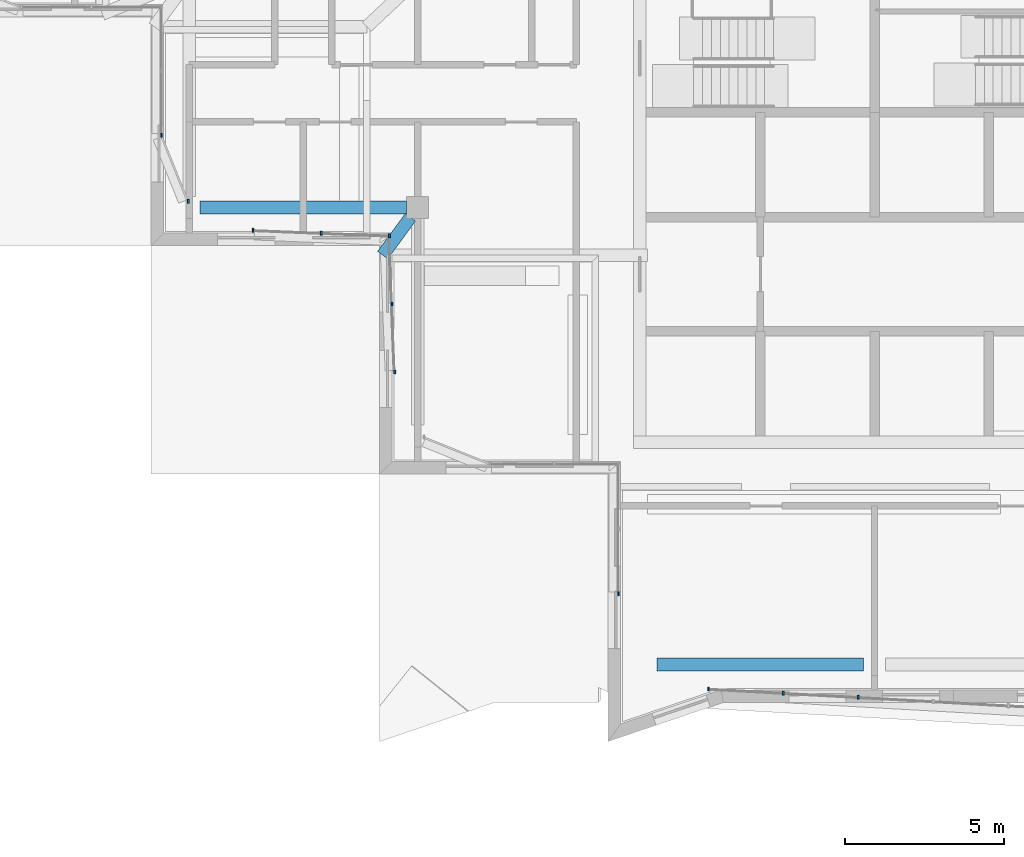
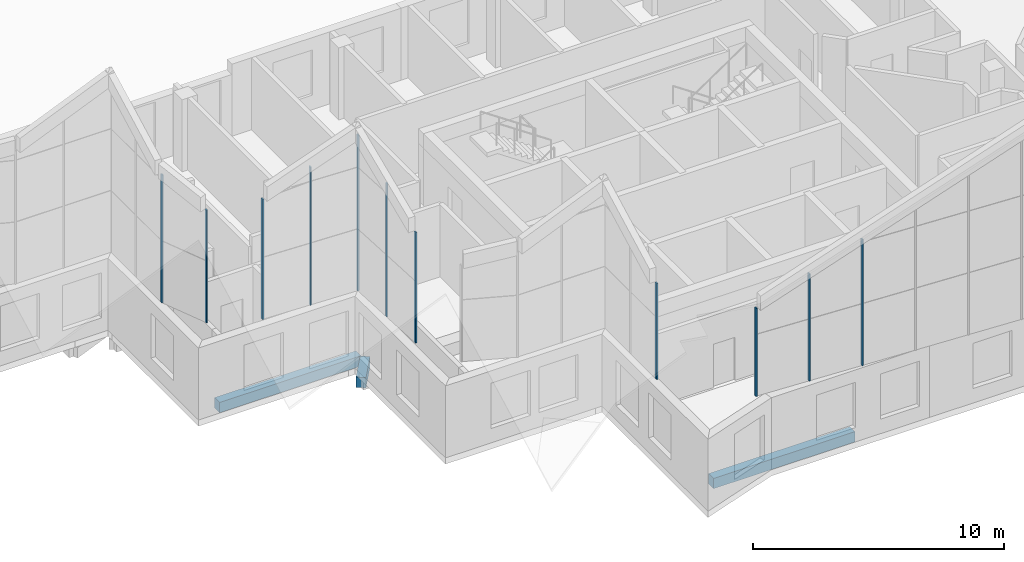
# One storey, part 2 of 20: 11 members, 3 beams, 5 elements without a shape of their own.
"""IFC4 building model written with IfcOpenShell, lengths in metres."""

from ifc_helpers import new_model, si_unit, direction, frame, origin, origin_2d, place, context, subcontext, project, spatial, rectangle, extrude, material, material_profile, profile_set, type_object, element, aggregate, save


model = new_model("IFC4")

# Units and contexts
model_context = context("Model", 3, precision=1e-05, world=origin(), true_north=direction((0.0, 1.0)))
body_context = subcontext(model_context, "Body", "Model", "MODEL_VIEW")
ifc_project = project(units=[si_unit("LENGTHUNIT", "METRE"), si_unit("AREAUNIT", "SQUARE_METRE"), si_unit("VOLUMEUNIT", "CUBIC_METRE"), si_unit("PLANEANGLEUNIT", "RADIAN"), si_unit("MASSUNIT", "GRAM", prefix="KILO")], contexts=[model_context])

# Site, building, storey
site_placement = place(None, origin())
site = spatial("IfcSite", under=ifc_project, at=site_placement, CompositionType="ELEMENT")
building_placement = place(site_placement, origin())
building = spatial("IfcBuilding", under=site, at=building_placement, Name="Windrow Commons", CompositionType="ELEMENT")
storey_placement = place(building_placement, frame((0.0, 0.0, 290.6)))
storey = spatial("IfcBuildingStorey", under=building, at=storey_placement, Name="L79", CompositionType="ELEMENT", Elevation=290.6)

# Curtain wall, members
ifc_material_1 = material(Name="Laminated glass in anodised aluminium frame", Category="aluminium")
curtain_wall_type = type_object("IfcCurtainWallType", Name="Curtain wall crown terrace screen", PredefinedType="USERDEFINED", material=ifc_material_1)
placement = place(storey_placement, origin())
curtain_wall_1 = element("IfcCurtainWall", 1, at=placement, inside=storey, type_object=curtain_wall_type, Name="Glazed crown screen L79", ObjectType="STICK", PredefinedType="USERDEFINED")
ifc_material_2 = material(Name="Anodised aluminium", Category="aluminium")
ifc_material_profile_1 = material_profile(ifc_material_2, rectangle(XDim=0.06, YDim=0.12, at=origin_2d()))
ifc_profile_set_1 = profile_set([ifc_material_profile_1], Name="Anodised aluminium")
member_type = type_object("IfcMemberType", Name="Crown screen mullion 60x120", PredefinedType="MULLION", material=ifc_profile_set_1)
member_1_placement = place(storey_placement, frame((64.291, 42.1641, 3.5), z_axis=(0.0, 0.0, 1.0), x_axis=(1.0, 0.0, 0.0)))
member_1 = element("IfcMember", 2, at=member_1_placement, type_object=member_type, Name="Crown screen mullion L79", PredefinedType="MULLION", context=body_context, shape_type="SweptSolid", body=[
    extrude(rectangle(XDim=0.06, YDim=0.12, at=origin_2d()), origin(), (0.0, 0.0, 1.0), 6.1426),
])
member_2_placement = place(storey_placement, frame((61.9295, 42.296, 3.5), z_axis=(0.0, 0.0, 1.0), x_axis=(1.0, 0.0, 0.0)))
member_2 = element("IfcMember", 3, at=member_2_placement, type_object=member_type, Name="Crown screen mullion L79", PredefinedType="MULLION", context=body_context, shape_type="SweptSolid", body=[
    extrude(rectangle(XDim=0.06, YDim=0.12, at=origin_2d()), origin(), (0.0, 0.0, 1.0), 5.2171),
])
member_3_placement = place(storey_placement, frame((59.5681, 42.4278, 3.5), z_axis=(0.0, 0.0, 1.0), x_axis=(1.0, 0.0, 0.0)))
member_3 = element("IfcMember", 4, at=member_3_placement, type_object=member_type, Name="Crown screen mullion L79", PredefinedType="MULLION", context=body_context, shape_type="SweptSolid", body=[
    extrude(rectangle(XDim=0.06, YDim=0.12, at=origin_2d()), origin(), (0.0, 0.0, 1.0), 4.2915),
])
aggregate(curtain_wall_1, [member_1, member_2, member_3])

# Curtain wall, member
curtain_wall_2 = element("IfcCurtainWall", 5, at=placement, inside=storey, type_object=curtain_wall_type, Name="Glazed crown screen L79", ObjectType="STICK", PredefinedType="USERDEFINED")
member_4_placement = place(storey_placement, frame((56.73, 45.4288, 3.5), z_axis=(0.0, 0.0, 1.0), x_axis=(1.0, 0.0, 0.0)))
member_4 = element("IfcMember", 6, at=member_4_placement, type_object=member_type, Name="Crown screen mullion L79", PredefinedType="MULLION", context=body_context, shape_type="SweptSolid", body=[
    extrude(rectangle(XDim=0.06, YDim=0.12, at=origin_2d()), origin(), (0.0, 0.0, 1.0), 4.6763),
])
aggregate(curtain_wall_2, [member_4])

# Curtain wall, members
curtain_wall_3 = element("IfcCurtainWall", 7, at=placement, inside=storey, type_object=curtain_wall_type, Name="Glazed crown screen L79", ObjectType="STICK", PredefinedType="USERDEFINED")
member_5_placement = place(storey_placement, frame((49.6794, 52.4141, 3.5), z_axis=(0.0, 0.0, 1.0), x_axis=(1.0, 0.0, 0.0)))
member_5 = element("IfcMember", 8, at=member_5_placement, type_object=member_type, Name="Crown screen mullion L79", PredefinedType="MULLION", context=body_context, shape_type="SweptSolid", body=[
    extrude(rectangle(XDim=0.06, YDim=0.12, at=origin_2d()), origin(), (0.0, 0.0, 1.0), 5.3845),
])
member_6_placement = place(storey_placement, frame((49.5929, 54.5603, 3.5), z_axis=(0.0, 0.0, 1.0), x_axis=(1.0, 0.0, 0.0)))
member_6 = element("IfcMember", 9, at=member_6_placement, type_object=member_type, Name="Crown screen mullion L79", PredefinedType="MULLION", context=body_context, shape_type="SweptSolid", body=[
    extrude(rectangle(XDim=0.06, YDim=0.12, at=origin_2d()), origin(), (0.0, 0.0, 1.0), 6.4785),
])
member_7_placement = place(storey_placement, frame((49.5065, 56.7065, 3.5), z_axis=(0.0, 0.0, 1.0), x_axis=(1.0, 0.0, 0.0)))
member_7 = element("IfcMember", 10, at=member_7_placement, type_object=member_type, Name="Crown screen mullion L79", PredefinedType="MULLION", context=body_context, shape_type="SweptSolid", body=[
    extrude(rectangle(XDim=0.06, YDim=0.12, at=origin_2d()), origin(), (0.0, 0.0, 1.0), 7.5725),
])
aggregate(curtain_wall_3, [member_5, member_6, member_7])

curtain_wall_4 = element("IfcCurtainWall", 11, at=placement, inside=storey, type_object=curtain_wall_type, Name="Glazed crown screen L79", ObjectType="STICK", PredefinedType="USERDEFINED")
member_8_placement = place(storey_placement, frame((47.3603, 56.7929, 3.5), z_axis=(0.0, 0.0, 1.0), x_axis=(1.0, 0.0, 0.0)))
member_8 = element("IfcMember", 12, at=member_8_placement, type_object=member_type, Name="Crown screen mullion L79", PredefinedType="MULLION", context=body_context, shape_type="SweptSolid", body=[
    extrude(rectangle(XDim=0.06, YDim=0.12, at=origin_2d()), origin(), (0.0, 0.0, 1.0), 6.7137),
])
member_9_placement = place(storey_placement, frame((45.2141, 56.8794, 3.5), z_axis=(0.0, 0.0, 1.0), x_axis=(1.0, 0.0, 0.0)))
member_9 = element("IfcMember", 13, at=member_9_placement, type_object=member_type, Name="Crown screen mullion L79", PredefinedType="MULLION", context=body_context, shape_type="SweptSolid", body=[
    extrude(rectangle(XDim=0.06, YDim=0.12, at=origin_2d()), origin(), (0.0, 0.0, 1.0), 5.8549),
])
aggregate(curtain_wall_4, [member_8, member_9])

curtain_wall_5 = element("IfcCurtainWall", 14, at=placement, inside=storey, type_object=curtain_wall_type, Name="Glazed crown screen L79", ObjectType="STICK", PredefinedType="USERDEFINED")
member_10_placement = place(storey_placement, frame((43.1678, 57.8003, 3.5), z_axis=(0.0, 0.0, 1.0), x_axis=(1.0, 0.0, 0.0)))
member_10 = element("IfcMember", 15, at=member_10_placement, type_object=member_type, Name="Crown screen mullion L79", PredefinedType="MULLION", context=body_context, shape_type="SweptSolid", body=[
    extrude(rectangle(XDim=0.06, YDim=0.12, at=origin_2d()), origin(), (0.0, 0.0, 1.0), 5.4777),
])
member_11_placement = place(storey_placement, frame((42.33, 59.882, 3.5), z_axis=(0.0, 0.0, 1.0), x_axis=(1.0, 0.0, 0.0)))
member_11 = element("IfcMember", 16, at=member_11_placement, type_object=member_type, Name="Crown screen mullion L79", PredefinedType="MULLION", context=body_context, shape_type="SweptSolid", body=[
    extrude(rectangle(XDim=0.06, YDim=0.12, at=origin_2d()), origin(), (0.0, 0.0, 1.0), 6.2211),
])
aggregate(curtain_wall_5, [member_10, member_11])

# Beams
ifc_material_3 = material(Name="Concrete C40/50", Category="concrete")
ifc_material_profile_2 = material_profile(ifc_material_3, rectangle(XDim=0.4, YDim=0.5, at=origin_2d()))
ifc_profile_set_2 = profile_set([ifc_material_profile_2], Name="Concrete C40/50")
beam_type = type_object("IfcBeamType", Name="RC EDGE BEAM 400x500 C40/50", PredefinedType="SPANDREL", material=ifc_profile_set_2)
beam_placement = place(storey_placement, frame((50.1729, 57.2903, -0.55), z_axis=(-0.5913695377, -0.8064006882, 0.0), x_axis=(0.8064006882, -0.5913695377, 0.0)))
element("IfcBeam", 17, at=beam_placement, inside=storey, type_object=beam_type, Name="Terrace base bracket beam TR-L79-3.1", PredefinedType="SPANDREL", context=body_context, shape_type="SweptSolid", body=[
    extrude(rectangle(XDim=0.4, YDim=0.5, at=origin_2d()), origin(), (0.0, 0.0, 1.0), 1.4761),
])
for number, where, z_axis, x_axis, name in (
    (18, (50.05, 57.6, -0.55), (-1.0, 0.0, 0.0), (0.0, -1.0, 0.0), "Edge beam L79 002"),
    (19, (64.45, 43.2, -0.55), (-1.0, 0.0, 0.0), (0.0, -1.0, 0.0), "Edge beam L79 021"),
):
    element("IfcBeam", number, at=place(storey_placement, frame(where, z_axis=z_axis, x_axis=x_axis)), inside=storey, type_object=beam_type, Name=name, PredefinedType="SPANDREL", context=body_context, shape_type="SweptSolid", body=[
        extrude(rectangle(XDim=0.4, YDim=0.5, at=origin_2d()), origin(), (0.0, 0.0, 1.0), 6.5),
    ])

save(model, "model.ifc")
